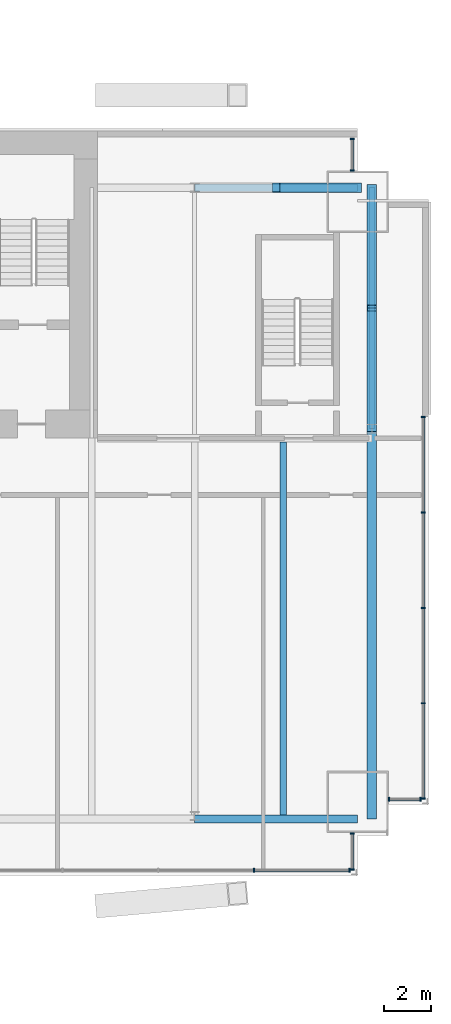
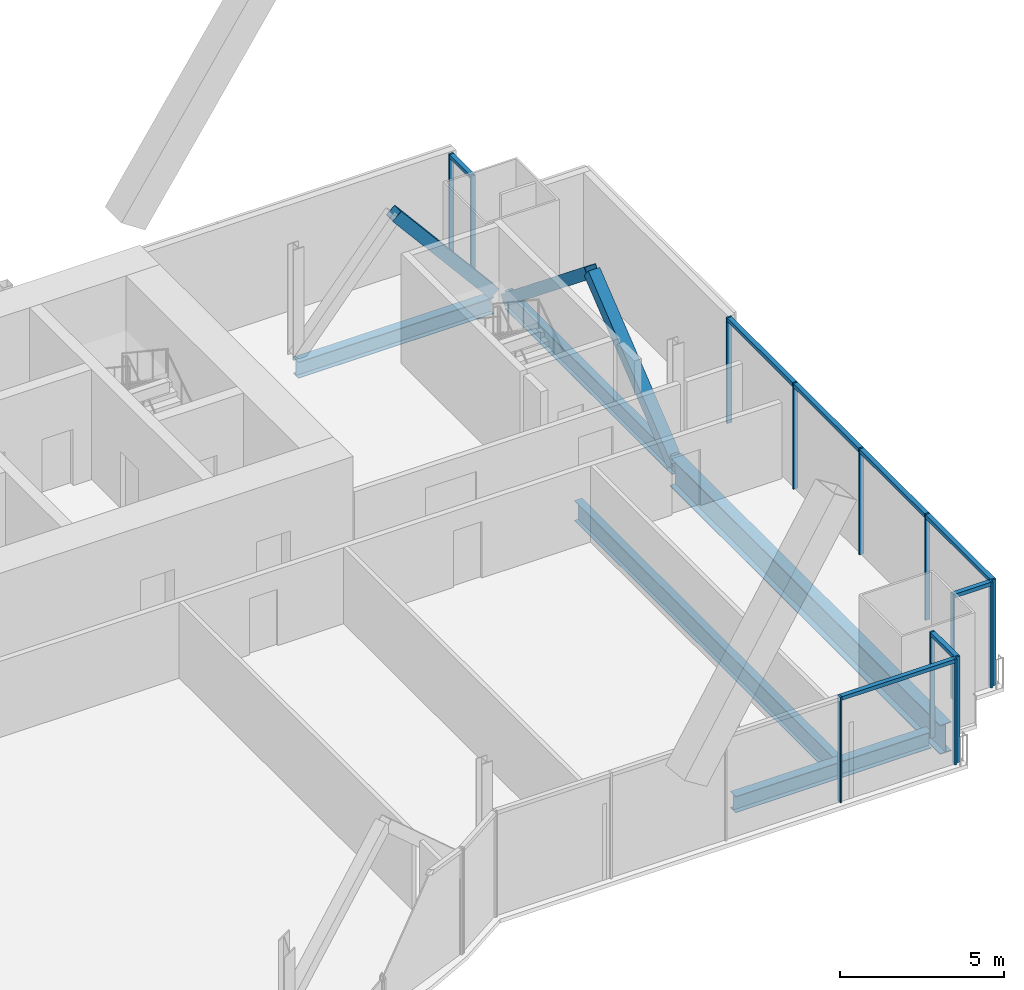
# One storey, part 12 of 20: 24 members, 5 beams, 5 elements without a shape of their own.
"""IFC4 building model written with IfcOpenShell, lengths in metres."""

from ifc_helpers import new_model, si_unit, direction, frame, origin, origin_2d, place, context, subcontext, project, spatial, rectangle, hollow_rectangle, i_section, extrude, material, material_profile, profile_set, type_object, element, aggregate, save


model = new_model("IFC4")

# Units and contexts
model_context = context("Model", 3, precision=1e-05, world=origin(), true_north=direction((0.0, 1.0)))
body_context = subcontext(model_context, "Body", "Model", "MODEL_VIEW")
ifc_project = project(units=[si_unit("LENGTHUNIT", "METRE"), si_unit("AREAUNIT", "SQUARE_METRE"), si_unit("VOLUMEUNIT", "CUBIC_METRE"), si_unit("PLANEANGLEUNIT", "RADIAN"), si_unit("MASSUNIT", "GRAM", prefix="KILO")], contexts=[model_context])

# Site, building, storey
site_placement = place(None, origin())
site = spatial("IfcSite", under=ifc_project, at=site_placement, CompositionType="ELEMENT")
building_placement = place(site_placement, origin())
building = spatial("IfcBuilding", under=site, at=building_placement, Name="Bicima Exchange Tower", CompositionType="ELEMENT")
storey_placement = place(building_placement, frame((0.0, 0.0, 219.60009765625)))
storey = spatial("IfcBuildingStorey", under=building, at=storey_placement, Name="L49", CompositionType="ELEMENT", Elevation=219.60009765625)

# Curtain wall, members
ifc_material_1 = material(Name="Anodised bronze aluminium", Category="aluminium")
curtain_wall_type_1 = type_object("IfcCurtainWallType", Name="End face glass wall", PredefinedType="NOTDEFINED", material=ifc_material_1)
curtain_wall_1_placement = place(storey_placement, origin())
curtain_wall_1 = element("IfcCurtainWall", 1, at=curtain_wall_1_placement, inside=storey, type_object=curtain_wall_type_1, Name="End face glass wall L49 run 19", PredefinedType="NOTDEFINED")
ifc_material_profile_1 = material_profile(ifc_material_1, rectangle(XDim=0.159912109375, YDim=0.06005859375, at=origin_2d()))
ifc_profile_set_1 = profile_set([ifc_material_profile_1], Name="Anodised bronze aluminium")
member_type_1 = type_object("IfcMemberType", Name="End face glass wall mullion 60 x 160", PredefinedType="MULLION", material=ifc_profile_set_1)
member_1_placement = place(storey_placement, frame((35.77001953125, -28.248046875, 0.0), z_axis=(0.0, 0.0, 1.0), x_axis=(-1.0, 0.0, 0.0)))
member_1 = element("IfcMember", 2, at=member_1_placement, type_object=member_type_1, Name="End face glass wall mullion 1", PredefinedType="MULLION", context=body_context, shape_type="SweptSolid", body=[
    extrude(rectangle(XDim=0.159912109375, YDim=0.06005859375, at=origin_2d()), origin(), (0.0, 0.0, 1.0), 3.949951171875),
])
member_2_placement = place(storey_placement, frame((35.77001953125, -24.21337890625, 0.0), z_axis=(0.0, 0.0, 1.0), x_axis=(-1.0, 0.0, 0.0)))
member_2 = element("IfcMember", 3, at=member_2_placement, type_object=member_type_1, Name="End face glass wall mullion 2", PredefinedType="MULLION", context=body_context, shape_type="SweptSolid", body=[
    extrude(rectangle(XDim=0.159912109375, YDim=0.06005859375, at=origin_2d()), origin(), (0.0, 0.0, 1.0), 3.949951171875),
])
member_3_placement = place(storey_placement, frame((35.77001953125, -20.178955078125, 0.0), z_axis=(0.0, 0.0, 1.0), x_axis=(-1.0, 0.0, 0.0)))
member_3 = element("IfcMember", 4, at=member_3_placement, type_object=member_type_1, Name="End face glass wall mullion 3", PredefinedType="MULLION", context=body_context, shape_type="SweptSolid", body=[
    extrude(rectangle(XDim=0.159912109375, YDim=0.06005859375, at=origin_2d()), origin(), (0.0, 0.0, 1.0), 3.949951171875),
])
member_4_placement = place(storey_placement, frame((35.77001953125, -16.14453125, 0.0), z_axis=(0.0, 0.0, 1.0), x_axis=(-1.0, 0.0, 0.0)))
member_4 = element("IfcMember", 5, at=member_4_placement, type_object=member_type_1, Name="End face glass wall mullion 4", PredefinedType="MULLION", context=body_context, shape_type="SweptSolid", body=[
    extrude(rectangle(XDim=0.159912109375, YDim=0.06005859375, at=origin_2d()), origin(), (0.0, 0.0, 1.0), 3.949951171875),
])
member_5_placement = place(storey_placement, frame((35.77001953125, -12.110107421875, 0.0), z_axis=(0.0, 0.0, 1.0), x_axis=(-1.0, 0.0, 0.0)))
member_5 = element("IfcMember", 6, at=member_5_placement, type_object=member_type_1, Name="End face glass wall mullion 5", PredefinedType="MULLION", context=body_context, shape_type="SweptSolid", body=[
    extrude(rectangle(XDim=0.159912109375, YDim=0.06005859375, at=origin_2d()), origin(), (0.0, 0.0, 1.0), 3.949951171875),
])
ifc_material_profile_2 = material_profile(ifc_material_1, rectangle(XDim=0.159912109375, YDim=0.139892578125, at=origin_2d()))
ifc_profile_set_2 = profile_set([ifc_material_profile_2], Name="Anodised bronze aluminium")
member_type_2 = type_object("IfcMemberType", Name="End face glass wall transom 140 x 160", PredefinedType="USERDEFINED", material=ifc_profile_set_2)
member_6_placement = place(storey_placement, frame((35.77001953125, -28.218017578125, 3.8798828125), z_axis=(0.0, 1.0, 0.0), x_axis=(-1.0, 0.0, 0.0)))
member_6 = element("IfcMember", 7, at=member_6_placement, type_object=member_type_2, Name="End face glass wall transom 1.1", ObjectType="TRANSOM", PredefinedType="USERDEFINED", context=body_context, shape_type="SweptSolid", body=[
    extrude(rectangle(XDim=0.159912109375, YDim=0.139892578125, at=origin_2d()), origin(), (0.0, 0.0, 1.0), 3.974609375),
])
member_7_placement = place(storey_placement, frame((35.77001953125, -24.18359375, 3.8798828125), z_axis=(0.0, 1.0, 0.0), x_axis=(-1.0, 0.0, 0.0)))
member_7 = element("IfcMember", 8, at=member_7_placement, type_object=member_type_2, Name="End face glass wall transom 2.1", ObjectType="TRANSOM", PredefinedType="USERDEFINED", context=body_context, shape_type="SweptSolid", body=[
    extrude(rectangle(XDim=0.159912109375, YDim=0.139892578125, at=origin_2d()), origin(), (0.0, 0.0, 1.0), 3.974609375),
])
member_8_placement = place(storey_placement, frame((35.77001953125, -20.14892578125, 3.8798828125), z_axis=(0.0, 1.0, 0.0), x_axis=(-1.0, 0.0, 0.0)))
member_8 = element("IfcMember", 9, at=member_8_placement, type_object=member_type_2, Name="End face glass wall transom 3.1", ObjectType="TRANSOM", PredefinedType="USERDEFINED", context=body_context, shape_type="SweptSolid", body=[
    extrude(rectangle(XDim=0.159912109375, YDim=0.139892578125, at=origin_2d()), origin(), (0.0, 0.0, 1.0), 3.974365234375),
])
member_9_placement = place(storey_placement, frame((35.77001953125, -16.114501953125, 3.8798828125), z_axis=(0.0, 1.0, 0.0), x_axis=(-1.0, 0.0, 0.0)))
member_9 = element("IfcMember", 10, at=member_9_placement, type_object=member_type_2, Name="End face glass wall transom 4.1", ObjectType="TRANSOM", PredefinedType="USERDEFINED", context=body_context, shape_type="SweptSolid", body=[
    extrude(rectangle(XDim=0.159912109375, YDim=0.139892578125, at=origin_2d()), origin(), (0.0, 0.0, 1.0), 3.974609375),
])
aggregate(curtain_wall_1, [member_1, member_2, member_3, member_4, member_5, member_6, member_7, member_8, member_9])

# Beams
ifc_material_2 = material(Name="Steel ASTM A992 Gr 50", Category="steel")
ifc_material_profile_3 = material_profile(ifc_material_2, i_section(OverallWidth=0.256591796875, OverallDepth=0.693359375, WebThickness=0.014404296875, FlangeThickness=0.023681640625, at=origin_2d()))
ifc_profile_set_3 = profile_set([ifc_material_profile_3], Name="Steel ASTM A992 Gr 50")
beam_type_1 = type_object("IfcBeamType", Name="End girder W27x114", PredefinedType="BEAM", material=ifc_profile_set_3)
beam_1_placement = place(storey_placement, frame((33.60009765625, -2.39990234375, -0.496826171875), z_axis=(0.0, -1.0, 0.0), x_axis=(1.0, 0.0, 0.0)))
element("IfcBeam", 11, at=beam_1_placement, inside=storey, type_object=beam_type_1, Name="End girder", PredefinedType="BEAM", context=body_context, shape_type="SweptSolid", body=[
    extrude(i_section(OverallWidth=0.256591796875, OverallDepth=0.693359375, WebThickness=0.014404296875, FlangeThickness=0.023681640625, at=origin_2d()), origin(), (0.0, 0.0, 1.0), 10.2001953125),
])
ifc_material_profile_4 = material_profile(ifc_material_2, i_section(OverallWidth=0.4013671875, OverallDepth=1.089599609375, WebThickness=0.01806640625, FlangeThickness=0.031005859375, at=origin_2d()))
ifc_profile_set_4 = profile_set([ifc_material_profile_4], Name="Steel ASTM A992 Gr 50")
beam_type_2 = type_object("IfcBeamType", Name="End girder W44x230", PredefinedType="BEAM", material=ifc_profile_set_4)
beam_2_placement = place(storey_placement, frame((33.60009765625, -12.60009765625, -0.69482421875), z_axis=(0.0, -1.0, 0.0), x_axis=(1.0, 0.0, 0.0)))
element("IfcBeam", 12, at=beam_2_placement, inside=storey, type_object=beam_type_2, Name="End girder", PredefinedType="BEAM", context=body_context, shape_type="SweptSolid", body=[
    extrude(i_section(OverallWidth=0.4013671875, OverallDepth=1.089599609375, WebThickness=0.01806640625, FlangeThickness=0.031005859375, at=origin_2d()), origin(), (0.0, 0.0, 1.0), 16.5078125),
])
ifc_material_profile_5 = material_profile(ifc_material_2, i_section(OverallWidth=0.2666015625, OverallDepth=0.75439453125, WebThickness=0.01318359375, FlangeThickness=0.01708984375, at=origin_2d()))
ifc_profile_set_5 = profile_set([ifc_material_profile_5], Name="Steel ASTM A992 Gr 50")
beam_type_3 = type_object("IfcBeamType", Name="Floor beam W30x99", PredefinedType="JOIST", material=ifc_profile_set_5)
beam_3_placement = place(storey_placement, frame((29.85009765625, -13.15234375, -0.52734375), z_axis=(0.0, -1.0, 0.0), x_axis=(1.0, 0.0, 0.0)))
element("IfcBeam", 13, at=beam_3_placement, inside=storey, type_object=beam_type_3, Name="Floor beam", PredefinedType="JOIST", context=body_context, shape_type="SweptSolid", body=[
    extrude(i_section(OverallWidth=0.2666015625, OverallDepth=0.75439453125, WebThickness=0.01318359375, FlangeThickness=0.01708984375, at=origin_2d()), origin(), (0.0, 0.0, 1.0), 15.79296875),
])
ifc_material_profile_6 = material_profile(ifc_material_2, i_section(OverallWidth=0.3251953125, OverallDepth=0.612060546875, WebThickness=0.0126953125, FlangeThickness=0.01904296875, at=origin_2d()))
ifc_profile_set_6 = profile_set([ifc_material_profile_6], Name="Steel ASTM A992 Gr 50")
beam_type_4 = type_object("IfcBeamType", Name="Front girder W24x104", PredefinedType="BEAM", material=ifc_profile_set_6)
beam_4_placement = place(storey_placement, frame((26.10009765625, -29.10791015625, -0.456298828125), z_axis=(1.0, 0.0, 0.0), x_axis=(0.0, 1.0, 0.0)))
element("IfcBeam", 14, at=beam_4_placement, inside=storey, type_object=beam_type_4, Name="Front girder", PredefinedType="BEAM", context=body_context, shape_type="SweptSolid", body=[
    extrude(i_section(OverallWidth=0.3251953125, OverallDepth=0.612060546875, WebThickness=0.0126953125, FlangeThickness=0.01904296875, at=origin_2d()), origin(), (0.0, 0.0, 1.0), 6.89990234375),
])

# Curtain wall, members
curtain_wall_type_2 = type_object("IfcCurtainWallType", Name="Front glass wall", PredefinedType="NOTDEFINED", material=ifc_material_1)
curtain_wall_2_placement = place(storey_placement, origin())
curtain_wall_2 = element("IfcCurtainWall", 15, at=curtain_wall_2_placement, inside=storey, type_object=curtain_wall_type_2, Name="Front glass wall L49 run 16", PredefinedType="NOTDEFINED")
member_type_3 = type_object("IfcMemberType", Name="Front glass wall mullion 60 x 160", PredefinedType="MULLION", material=ifc_profile_set_1)
member_10_placement = place(storey_placement, frame((28.610595703125, -31.278076171875, 0.0), z_axis=(0.0, 0.0, 1.0), x_axis=(0.0, 1.0, 0.0)))
member_10 = element("IfcMember", 16, at=member_10_placement, type_object=member_type_3, Name="Front glass wall mullion 4", PredefinedType="MULLION", context=body_context, shape_type="SweptSolid", body=[
    extrude(rectangle(XDim=0.159912109375, YDim=0.06005859375, at=origin_2d()), origin(), (0.0, 0.0, 1.0), 3.949951171875),
])
member_11_placement = place(storey_placement, frame((32.659912109375, -31.278076171875, 0.0), z_axis=(0.0, 0.0, 1.0), x_axis=(0.0, 1.0, 0.0)))
member_11 = element("IfcMember", 17, at=member_11_placement, type_object=member_type_3, Name="Front glass wall mullion 5", PredefinedType="MULLION", context=body_context, shape_type="SweptSolid", body=[
    extrude(rectangle(XDim=0.159912109375, YDim=0.06005859375, at=origin_2d()), origin(), (0.0, 0.0, 1.0), 3.949951171875),
])

curtain_wall_3_placement = place(storey_placement, origin())
curtain_wall_3 = element("IfcCurtainWall", 18, at=curtain_wall_3_placement, inside=storey, type_object=curtain_wall_type_2, Name="Front glass wall L49 run 17", PredefinedType="NOTDEFINED")
member_12_placement = place(storey_placement, frame((32.77001953125, -31.248046875, 0.0), z_axis=(0.0, 0.0, 1.0), x_axis=(-1.0, 0.0, 0.0)))
member_12 = element("IfcMember", 19, at=member_12_placement, type_object=member_type_3, Name="Front glass wall mullion 1", PredefinedType="MULLION", context=body_context, shape_type="SweptSolid", body=[
    extrude(rectangle(XDim=0.159912109375, YDim=0.06005859375, at=origin_2d()), origin(), (0.0, 0.0, 1.0), 3.949951171875),
])
member_13_placement = place(storey_placement, frame((32.77001953125, -29.716064453125, 0.0), z_axis=(0.0, 0.0, 1.0), x_axis=(-1.0, 0.0, 0.0)))
member_13 = element("IfcMember", 20, at=member_13_placement, type_object=member_type_3, Name="Front glass wall mullion 2", PredefinedType="MULLION", context=body_context, shape_type="SweptSolid", body=[
    extrude(rectangle(XDim=0.159912109375, YDim=0.06005859375, at=origin_2d()), origin(), (0.0, 0.0, 1.0), 3.949951171875),
])

curtain_wall_4_placement = place(storey_placement, origin())
curtain_wall_4 = element("IfcCurtainWall", 21, at=curtain_wall_4_placement, inside=storey, type_object=curtain_wall_type_2, Name="Front glass wall L49 run 18", PredefinedType="NOTDEFINED")
member_14_placement = place(storey_placement, frame((34.330078125, -28.278076171875, 0.0), z_axis=(0.0, 0.0, 1.0), x_axis=(0.0, 1.0, 0.0)))
member_14 = element("IfcMember", 22, at=member_14_placement, type_object=member_type_3, Name="Front glass wall mullion 1", PredefinedType="MULLION", context=body_context, shape_type="SweptSolid", body=[
    extrude(rectangle(XDim=0.159912109375, YDim=0.06005859375, at=origin_2d()), origin(), (0.0, 0.0, 1.0), 3.949951171875),
])
member_15_placement = place(storey_placement, frame((35.659912109375, -28.278076171875, 0.0), z_axis=(0.0, 0.0, 1.0), x_axis=(0.0, 1.0, 0.0)))
member_15 = element("IfcMember", 23, at=member_15_placement, type_object=member_type_3, Name="Front glass wall mullion 2", PredefinedType="MULLION", context=body_context, shape_type="SweptSolid", body=[
    extrude(rectangle(XDim=0.159912109375, YDim=0.06005859375, at=origin_2d()), origin(), (0.0, 0.0, 1.0), 3.949951171875),
])

curtain_wall_5_placement = place(storey_placement, origin())
curtain_wall_5 = element("IfcCurtainWall", 24, at=curtain_wall_5_placement, inside=storey, type_object=curtain_wall_type_2, Name="Front glass wall L49 run 20", PredefinedType="NOTDEFINED")
member_16_placement = place(storey_placement, frame((32.77001953125, -1.669921875, 0.0), z_axis=(0.0, 0.0, 1.0), x_axis=(-1.0, 0.0, 0.0)))
member_16 = element("IfcMember", 25, at=member_16_placement, type_object=member_type_3, Name="Front glass wall mullion 1", PredefinedType="MULLION", context=body_context, shape_type="SweptSolid", body=[
    extrude(rectangle(XDim=0.159912109375, YDim=0.06005859375, at=origin_2d()), origin(), (0.0, 0.0, 1.0), 3.949951171875),
])
member_17_placement = place(storey_placement, frame((32.77001953125, -0.340087890625, 0.0), z_axis=(0.0, 0.0, 1.0), x_axis=(-1.0, 0.0, 0.0)))
member_17 = element("IfcMember", 26, at=member_17_placement, type_object=member_type_3, Name="Front glass wall mullion 2", PredefinedType="MULLION", context=body_context, shape_type="SweptSolid", body=[
    extrude(rectangle(XDim=0.159912109375, YDim=0.06005859375, at=origin_2d()), origin(), (0.0, 0.0, 1.0), 3.949951171875),
])

# Member
member_type_4 = type_object("IfcMemberType", Name="Front glass wall transom 140 x 160", PredefinedType="USERDEFINED", material=ifc_profile_set_2)
member_18_placement = place(storey_placement, frame((28.640380859375, -31.278076171875, 3.8798828125), z_axis=(1.0, 0.0, 0.0), x_axis=(0.0, 1.0, 0.0)))
member_18 = element("IfcMember", 27, at=member_18_placement, type_object=member_type_4, Name="Front glass wall transom 4.1", ObjectType="TRANSOM", PredefinedType="USERDEFINED", context=body_context, shape_type="SweptSolid", body=[
    extrude(rectangle(XDim=0.159912109375, YDim=0.139892578125, at=origin_2d()), origin(), (0.0, 0.0, 1.0), 3.989501953125),
])

aggregate(curtain_wall_2, [member_10, member_11, member_18])

member_19_placement = place(storey_placement, frame((32.77001953125, -31.218017578125, 3.8798828125), z_axis=(0.0, 1.0, 0.0), x_axis=(-1.0, 0.0, 0.0)))
member_19 = element("IfcMember", 28, at=member_19_placement, type_object=member_type_4, Name="Front glass wall transom 1.1", ObjectType="TRANSOM", PredefinedType="USERDEFINED", context=body_context, shape_type="SweptSolid", body=[
    extrude(rectangle(XDim=0.159912109375, YDim=0.139892578125, at=origin_2d()), origin(), (0.0, 0.0, 1.0), 1.471923828125),
])

aggregate(curtain_wall_3, [member_12, member_13, member_19])

member_20_placement = place(storey_placement, frame((34.360107421875, -28.278076171875, 3.8798828125), z_axis=(1.0, 0.0, 0.0), x_axis=(0.0, 1.0, 0.0)))
member_20 = element("IfcMember", 29, at=member_20_placement, type_object=member_type_4, Name="Front glass wall transom 1.1", ObjectType="TRANSOM", PredefinedType="USERDEFINED", context=body_context, shape_type="SweptSolid", body=[
    extrude(rectangle(XDim=0.159912109375, YDim=0.139892578125, at=origin_2d()), origin(), (0.0, 0.0, 1.0), 1.269775390625),
])

aggregate(curtain_wall_4, [member_14, member_15, member_20])

member_21_placement = place(storey_placement, frame((32.77001953125, -1.639892578125, 3.8798828125), z_axis=(0.0, 1.0, 0.0), x_axis=(-1.0, 0.0, 0.0)))
member_21 = element("IfcMember", 30, at=member_21_placement, type_object=member_type_4, Name="Front glass wall transom 1.1", ObjectType="TRANSOM", PredefinedType="USERDEFINED", context=body_context, shape_type="SweptSolid", body=[
    extrude(rectangle(XDim=0.159912109375, YDim=0.139892578125, at=origin_2d()), origin(), (0.0, 0.0, 1.0), 1.269775390625),
])

aggregate(curtain_wall_5, [member_16, member_17, member_21])

# Members
ifc_material_3 = material(Name="Steel ASTM A572 Gr 50", Category="steel")
ifc_material_profile_7 = material_profile(ifc_material_3, hollow_rectangle(XDim=0.406494140625, YDim=0.406494140625, WallThickness=0.0146484375, at=origin_2d()))
ifc_profile_set_7 = profile_set([ifc_material_profile_7], Name="Steel ASTM A572 Gr 50")
member_type_5 = type_object("IfcMemberType", Name="Mega brace HSS16x16x5/8", PredefinedType="BRACE", material=ifc_profile_set_7)
member_22_placement = place(storey_placement, frame((33.0, -2.39990234375, 0.0), z_axis=(-0.643856488545, 0.0, 0.765146275008), x_axis=(0.0, -1.0, 0.0)))
element("IfcMember", 31, at=member_22_placement, inside=storey, type_object=member_type_5, Name="Mega brace rear", PredefinedType="BRACE", context=body_context, shape_type="SweptSolid", body=[
    extrude(hollow_rectangle(XDim=0.406494140625, YDim=0.406494140625, WallThickness=0.0146484375, at=origin_2d()), origin(), (0.0, 0.0, 1.0), 5.358154296875),
])
for number, where, z_axis, x_axis, name in (
    (32, (33.60009765625, -2.39990234375, -0.496826171875), (0.0, -0.779374241895, 0.626558689247), (1.0, 0.0, 0.0), "Mega brace east end"),
    (33, (33.60009765625, -12.60009765625, -0.496826171875), (0.0, 0.779374241895, 0.626558689247), (-1.0, 0.0, 0.0), "Mega brace east end"),
):
    element("IfcMember", number, at=place(storey_placement, frame(where, z_axis=z_axis, x_axis=x_axis)), inside=storey, type_object=member_type_5, Name=name, PredefinedType="BRACE", context=body_context, shape_type="SweptSolid", body=[
        extrude(hollow_rectangle(XDim=0.406494140625, YDim=0.406494140625, WallThickness=0.0146484375, at=origin_2d()), origin(), (0.0, 0.0, 1.0), 6.5439453125),
    ])

# Beam
beam_type_5 = type_object("IfcBeamType", Name="Rear girder W24x104", PredefinedType="BEAM", material=ifc_profile_set_6)
beam_5_placement = place(storey_placement, frame((26.10009765625, -2.39990234375, -0.456298828125), z_axis=(1.0, 0.0, 0.0), x_axis=(0.0, 1.0, 0.0)))
element("IfcBeam", 34, at=beam_5_placement, inside=storey, type_object=beam_type_5, Name="Rear girder", PredefinedType="BEAM", context=body_context, shape_type="SweptSolid", body=[
    extrude(i_section(OverallWidth=0.3251953125, OverallDepth=0.612060546875, WebThickness=0.0126953125, FlangeThickness=0.01904296875, at=origin_2d()), origin(), (0.0, 0.0, 1.0), 6.89990234375),
])

save(model, "model.ifc")
